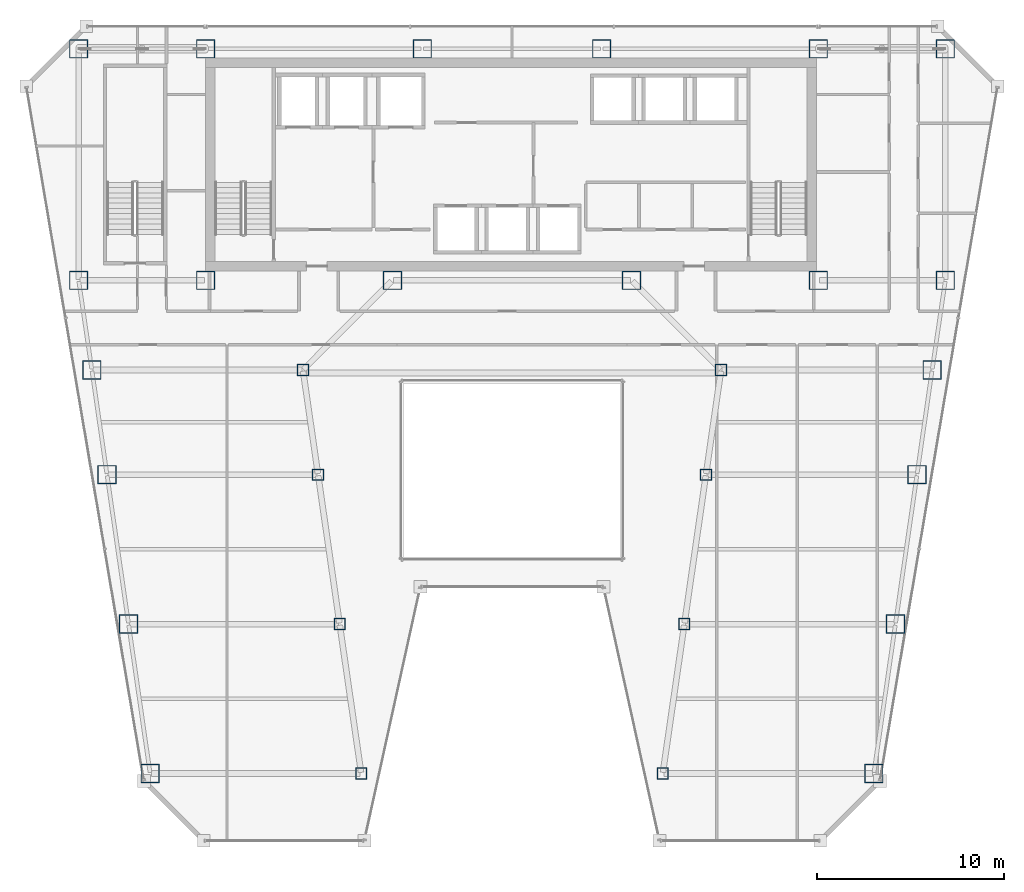
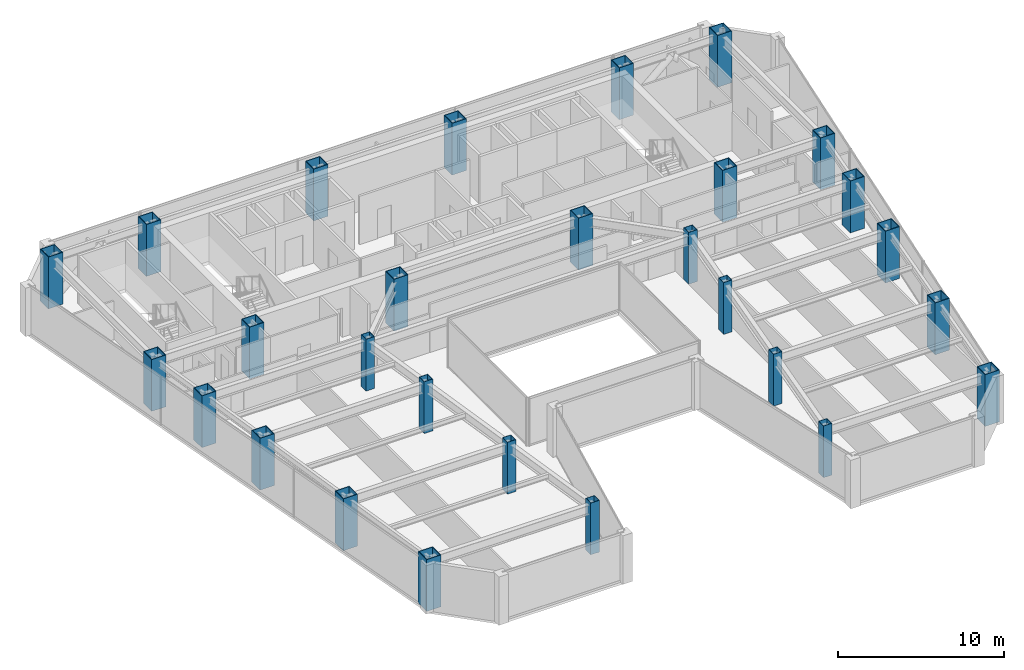
# One storey, part 1 of 36: 28 columns.
"""IFC4 building model written with IfcOpenShell, lengths in metres."""

from ifc_helpers import new_model, si_unit, direction, frame, origin, origin_2d, place, context, subcontext, project, spatial, hollow_rectangle, extrude, material, material_profile, profile_set, type_object, element, save


model = new_model("IFC4")

# Units and contexts
model_context = context("Model", 3, precision=1e-05, world=origin(), true_north=direction((0.0, 1.0)))
body_context = subcontext(model_context, "Body", "Model", "MODEL_VIEW")
ifc_project = project(units=[si_unit("LENGTHUNIT", "METRE"), si_unit("AREAUNIT", "SQUARE_METRE"), si_unit("VOLUMEUNIT", "CUBIC_METRE"), si_unit("PLANEANGLEUNIT", "RADIAN"), si_unit("MASSUNIT", "GRAM", prefix="KILO")], contexts=[model_context])

# Site, building, storey
site_placement = place(None, origin())
site = spatial("IfcSite", under=ifc_project, at=site_placement, CompositionType="ELEMENT")
building_placement = place(site_placement, origin())
building = spatial("IfcBuilding", under=site, at=building_placement, Name="Saevonmaru Cultural Tower", CompositionType="ELEMENT")
storey_placement = place(building_placement, frame((0.0, 0.0, 171.39990234375)))
storey = spatial("IfcBuildingStorey", under=building, at=storey_placement, Name="L38", CompositionType="ELEMENT", Elevation=171.39990234375)

# Columns
ifc_material_1 = material(Name="Steel SM420", Category="steel")
ifc_material_profile_1 = material_profile(ifc_material_1, hollow_rectangle(XDim=1.0, YDim=1.0, WallThickness=0.044921875, at=origin_2d()), Name="BOX-1000x1000x45")
ifc_profile_set_1 = profile_set([ifc_material_profile_1], Name="Steel SM420")
column_type_1 = type_object("IfcColumnType", Name="COL-BOX-1000", PredefinedType="COLUMN", material=ifc_profile_set_1)
for number, where, z_axis, x_axis, name in (
    (1, (6.800048828125, 54.800048828125, 0.0), (0.0, 0.0, 1.0), (1.0, 0.0, 0.0), "L38 Column TC-N1N"),
    (2, (13.60009765625, 54.800048828125, 0.0), (0.0, 0.0, 1.0), (1.0, 0.0, 0.0), "L38 Column TC-N2N"),
    (3, (25.199951171875, 54.800048828125, 0.0), (0.0, 0.0, 1.0), (1.0, 0.0, 0.0), "L38 Column TC-N3N"),
    (4, (34.800048828125, 54.800048828125, 0.0), (0.0, 0.0, 1.0), (1.0, 0.0, 0.0), "L38 Column TC-N4N"),
    (5, (46.39990234375, 54.800048828125, 0.0), (0.0, 0.0, 1.0), (1.0, 0.0, 0.0), "L38 Column TC-N5N"),
    (6, (53.199951171875, 54.800048828125, 0.0), (0.0, 0.0, 1.0), (1.0, 0.0, 0.0), "L38 Column TC-N6N"),
    (7, (6.800048828125, 42.39990234375, 0.0), (0.0, 0.0, 1.0), (1.0, 0.0, 0.0), "L38 Column TC-S1C"),
    (8, (13.60009765625, 42.39990234375, 0.0), (0.0, 0.0, 1.0), (1.0, 0.0, 0.0), "L38 Column TC-S2C"),
    (9, (23.60009765625, 42.39990234375, 0.0), (0.0, 0.0, 1.0), (1.0, 0.0, 0.0), "L38 Column TC-S3C"),
    (10, (36.39990234375, 42.39990234375, 0.0), (0.0, 0.0, 1.0), (1.0, 0.0, 0.0), "L38 Column TC-S4C"),
    (11, (46.39990234375, 42.39990234375, 0.0), (0.0, 0.0, 1.0), (1.0, 0.0, 0.0), "L38 Column TC-S5C"),
    (12, (53.199951171875, 42.39990234375, 0.0), (0.0, 0.0, 1.0), (1.0, 0.0, 0.0), "L38 Column TC-S6C"),
    (13, (10.6279296875, 16.0, 0.0), (0.0, 0.0, 1.0), (1.0, 0.0, 0.0), "L38 Column TC-WO-Y160"),
    (14, (49.3720703125, 16.0, 0.0), (0.0, 0.0, 1.0), (1.0, 0.0, 0.0), "L38 Column TC-EO-Y160"),
    (15, (9.471923828125, 24.0, 0.0), (0.0, 0.0, 1.0), (1.0, 0.0, 0.0), "L38 Column TC-WO-Y240"),
    (16, (50.528076171875, 24.0, 0.0), (0.0, 0.0, 1.0), (1.0, 0.0, 0.0), "L38 Column TC-EO-Y240"),
    (17, (8.31689453125, 32.0, 0.0), (0.0, 0.0, 1.0), (1.0, 0.0, 0.0), "L38 Column TC-WO-Y320"),
    (18, (51.68310546875, 32.0, 0.0), (0.0, 0.0, 1.0), (1.0, 0.0, 0.0), "L38 Column TC-EO-Y320"),
    (19, (7.508056640625, 37.60009765625, 0.0), (0.0, 0.0, 1.0), (1.0, 0.0, 0.0), "L38 Column TC-WO-Y376"),
    (20, (52.491943359375, 37.60009765625, 0.0), (0.0, 0.0, 1.0), (1.0, 0.0, 0.0), "L38 Column TC-EO-Y376"),
):
    element("IfcColumn", number, at=place(storey_placement, frame(where, z_axis=z_axis, x_axis=x_axis)), inside=storey, type_object=column_type_1, Name=name, PredefinedType="COLUMN", context=body_context, shape_type="SweptSolid", body=[
        extrude(hollow_rectangle(XDim=1.0, YDim=1.0, WallThickness=0.044921875, at=origin_2d()), origin(), (0.0, 0.0, 1.0), 3.800048828125),
    ])
ifc_material_2 = material(Name="Steel SM355", Category="steel")
ifc_material_profile_2 = material_profile(ifc_material_2, hollow_rectangle(XDim=0.60009765625, YDim=0.60009765625, WallThickness=0.028076171875, at=origin_2d()), Name="BOX-600x600x28")
ifc_profile_set_2 = profile_set([ifc_material_profile_2], Name="Steel SM355")
column_type_2 = type_object("IfcColumnType", Name="COL-BOX-600", PredefinedType="COLUMN", material=ifc_profile_set_2)
for number, where, z_axis, x_axis, name in (
    (21, (21.927978515625, 16.0, 0.0), (0.0, 0.0, 1.0), (1.0, 0.0, 0.0), "L38 Column TC-WI-Y160"),
    (22, (38.072021484375, 16.0, 0.0), (0.0, 0.0, 1.0), (1.0, 0.0, 0.0), "L38 Column TC-EI-Y160"),
    (23, (20.77197265625, 24.0, 0.0), (0.0, 0.0, 1.0), (1.0, 0.0, 0.0), "L38 Column TC-WI-Y240"),
    (24, (39.22802734375, 24.0, 0.0), (0.0, 0.0, 1.0), (1.0, 0.0, 0.0), "L38 Column TC-EI-Y240"),
    (25, (19.616943359375, 32.0, 0.0), (0.0, 0.0, 1.0), (1.0, 0.0, 0.0), "L38 Column TC-WI-Y320"),
    (26, (40.383056640625, 32.0, 0.0), (0.0, 0.0, 1.0), (1.0, 0.0, 0.0), "L38 Column TC-EI-Y320"),
    (27, (18.80810546875, 37.60009765625, 0.0), (0.0, 0.0, 1.0), (1.0, 0.0, 0.0), "L38 Column TC-WI-Y376"),
    (28, (41.19189453125, 37.60009765625, 0.0), (0.0, 0.0, 1.0), (1.0, 0.0, 0.0), "L38 Column TC-EI-Y376"),
):
    element("IfcColumn", number, at=place(storey_placement, frame(where, z_axis=z_axis, x_axis=x_axis)), inside=storey, type_object=column_type_2, Name=name, PredefinedType="COLUMN", context=body_context, shape_type="SweptSolid", body=[
        extrude(hollow_rectangle(XDim=0.60009765625, YDim=0.60009765625, WallThickness=0.028076171875, at=origin_2d()), origin(), (0.0, 0.0, 1.0), 3.800048828125),
    ])

save(model, "model.ifc")
